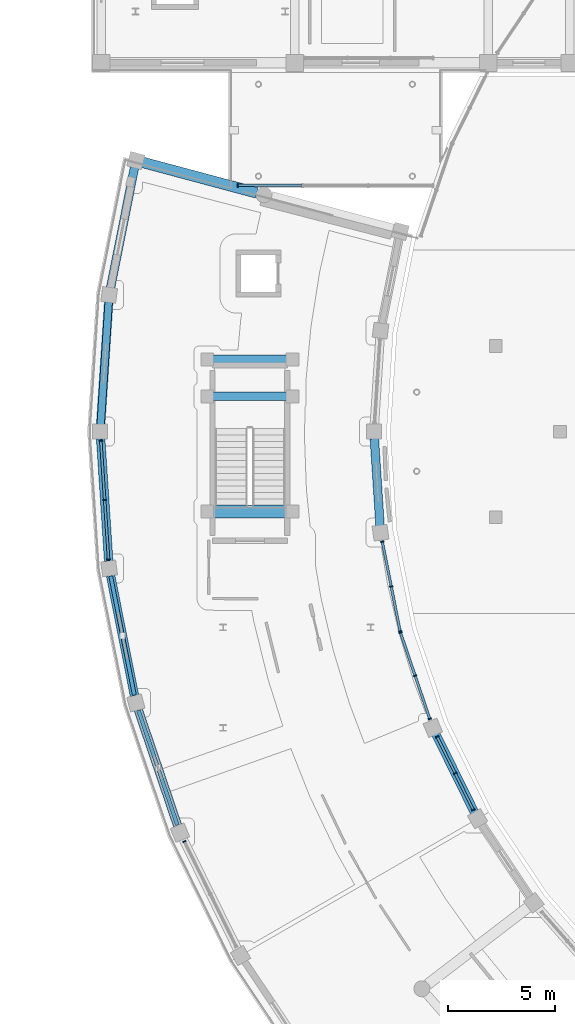
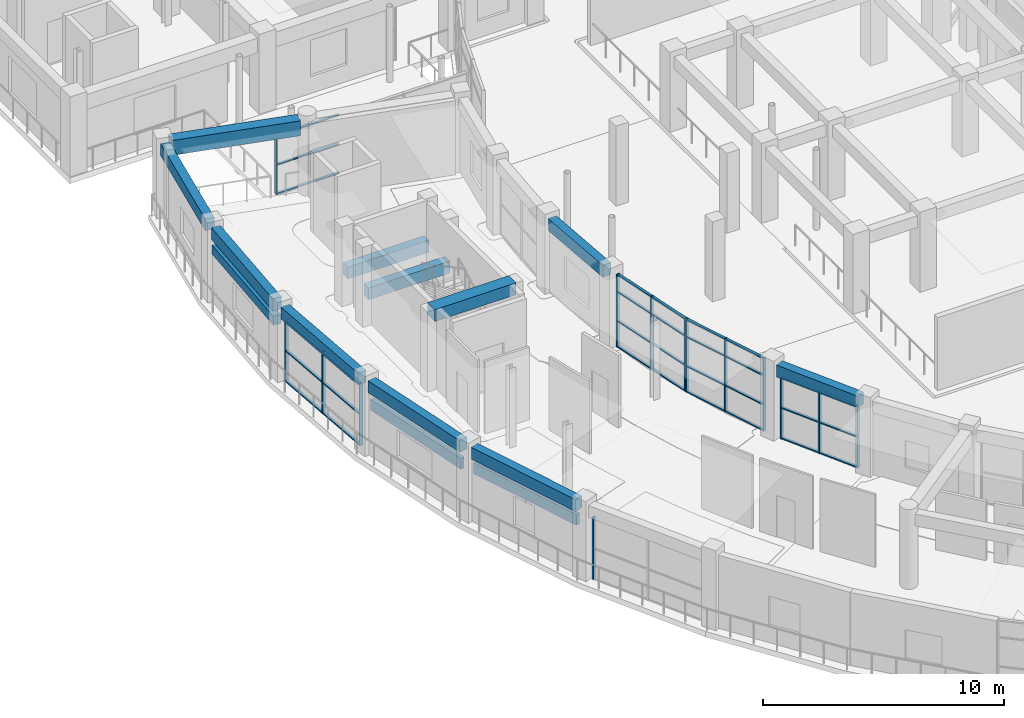
# One storey, part 25 of 87: 47 members, 12 beams, 6 elements without a shape of their own.
"""IFC4 building model written with IfcOpenShell, lengths in metres."""

from ifc_helpers import new_model, si_unit, direction, frame, origin, origin_2d, place, context, subcontext, project, spatial, rectangle, extrude, material, material_profile, profile_set, type_object, element, aggregate, save


model = new_model("IFC4")

# Units and contexts
model_context = context("Model", 3, precision=1e-05, world=origin(), true_north=direction((0.0, 1.0)))
body_context = subcontext(model_context, "Body", "Model", "MODEL_VIEW")
ifc_project = project(units=[si_unit("LENGTHUNIT", "METRE"), si_unit("AREAUNIT", "SQUARE_METRE"), si_unit("VOLUMEUNIT", "CUBIC_METRE"), si_unit("PLANEANGLEUNIT", "RADIAN"), si_unit("MASSUNIT", "GRAM", prefix="KILO")], contexts=[model_context])

# Site, building, storey
site_placement = place(None, origin())
site = spatial("IfcSite", under=ifc_project, at=site_placement, CompositionType="ELEMENT")
building_placement = place(site_placement, origin())
building = spatial("IfcBuilding", under=site, at=building_placement, Name="Saryqyr Civic Hall", CompositionType="ELEMENT")
storey_placement = place(building_placement, frame((0.0, 0.0, 5.10009765625)))
storey = spatial("IfcBuildingStorey", under=building, at=storey_placement, Name="L01", CompositionType="ELEMENT", Elevation=5.10009765625)

# Curtain wall, members
ifc_material_1 = material(Name="Anodised aluminium and triple low-E glass", Category="aluminium")
curtain_wall_type_1 = type_object("IfcCurtainWallType", Name="ENV-CW-STD-14", PredefinedType="NOTDEFINED", material=ifc_material_1)
curtain_wall_1_placement = place(storey_placement, origin())
curtain_wall_1 = element("IfcCurtainWall", 1, at=curtain_wall_1_placement, inside=storey, type_object=curtain_wall_type_1, Name="Curtain wall V4-CWO-L01-02", PredefinedType="NOTDEFINED")
ifc_material_2 = material(Name="Anodised aluminium", Category="aluminium")
ifc_material_profile_1 = material_profile(ifc_material_2, rectangle(XDim=0.06005859375, YDim=0.159912109375, at=origin_2d()), Name="ALU MULLION 60x160")
ifc_profile_set_1 = profile_set([ifc_material_profile_1], Name="Anodised aluminium")
member_type_1 = type_object("IfcMemberType", Name="ENV-CW-MUL-180", PredefinedType="MULLION", material=ifc_profile_set_1)
member_1_placement = place(storey_placement, frame((8.3916015625, 78.024169921875, 0.0), z_axis=(0.0, 0.0, 1.0), x_axis=(-0.065389155732, 0.997859839012, 0.0)))
member_1 = element("IfcMember", 2, at=member_1_placement, type_object=member_type_1, Name="CW-14 mullion 1", PredefinedType="MULLION", context=body_context, shape_type="SweptSolid", body=[
    extrude(rectangle(XDim=0.06005859375, YDim=0.159912109375, at=origin_2d()), origin(), (0.0, 0.0, 1.0), 3.14501953125),
])
member_2_placement = place(storey_placement, frame((8.209716796875, 80.802001953125, 0.0), z_axis=(0.0, 0.0, 1.0), x_axis=(-0.065389155732, 0.997859839012, 0.0)))
member_2 = element("IfcMember", 3, at=member_2_placement, type_object=member_type_1, Name="CW-14 mullion 2", PredefinedType="MULLION", context=body_context, shape_type="SweptSolid", body=[
    extrude(rectangle(XDim=0.06005859375, YDim=0.159912109375, at=origin_2d()), origin(), (0.0, 0.0, 1.0), 3.14501953125),
])
member_3_placement = place(storey_placement, frame((8.027587890625, 83.580078125, 0.0), z_axis=(0.0, 0.0, 1.0), x_axis=(-0.065389155732, 0.997859839012, 0.0)))
member_3 = element("IfcMember", 4, at=member_3_placement, type_object=member_type_1, Name="CW-14 mullion 3", PredefinedType="MULLION", context=body_context, shape_type="SweptSolid", body=[
    extrude(rectangle(XDim=0.06005859375, YDim=0.159912109375, at=origin_2d()), origin(), (0.0, 0.0, 1.0), 3.14501953125),
])

curtain_wall_type_2 = type_object("IfcCurtainWallType", Name="ENV-CW-STD-15", PredefinedType="NOTDEFINED", material=ifc_material_1)
curtain_wall_2_placement = place(storey_placement, origin())
curtain_wall_2 = element("IfcCurtainWall", 5, at=curtain_wall_2_placement, inside=storey, type_object=curtain_wall_type_2, Name="Curtain wall V4-CWI-L01-03", PredefinedType="NOTDEFINED")
member_4_placement = place(storey_placement, frame((21.193115234375, 78.85546875, 0.0), z_axis=(0.0, 0.0, 1.0), x_axis=(0.195087440485, -0.980785853571, 0.0)))
member_4 = element("IfcMember", 6, at=member_4_placement, type_object=member_type_1, Name="CW-15 mullion 1", PredefinedType="MULLION", context=body_context, shape_type="SweptSolid", body=[
    extrude(rectangle(XDim=0.06005859375, YDim=0.159912109375, at=origin_2d()), origin(), (0.0, 0.0, 1.0), 3.699951171875),
])
member_5_placement = place(storey_placement, frame((21.6103515625, 76.7578125, 0.0), z_axis=(0.0, 0.0, 1.0), x_axis=(0.195087440485, -0.980785853571, 0.0)))
member_5 = element("IfcMember", 7, at=member_5_placement, type_object=member_type_1, Name="CW-15 mullion 2", PredefinedType="MULLION", context=body_context, shape_type="SweptSolid", body=[
    extrude(rectangle(XDim=0.06005859375, YDim=0.159912109375, at=origin_2d()), origin(), (0.0, 0.0, 1.0), 3.699951171875),
])
member_6_placement = place(storey_placement, frame((22.027587890625, 74.66015625, 0.0), z_axis=(0.0, 0.0, 1.0), x_axis=(0.195087440485, -0.980785853571, 0.0)))
member_6 = element("IfcMember", 8, at=member_6_placement, type_object=member_type_1, Name="CW-15 mullion 3", PredefinedType="MULLION", context=body_context, shape_type="SweptSolid", body=[
    extrude(rectangle(XDim=0.06005859375, YDim=0.159912109375, at=origin_2d()), origin(), (0.0, 0.0, 1.0), 3.699951171875),
])

curtain_wall_3_placement = place(storey_placement, origin())
curtain_wall_3 = element("IfcCurtainWall", 9, at=curtain_wall_3_placement, inside=storey, type_object=curtain_wall_type_2, Name="Curtain wall V4-CWI-L01-04", PredefinedType="NOTDEFINED")
member_7_placement = place(storey_placement, frame((22.043212890625, 74.602294921875, 0.0), z_axis=(0.0, 0.0, 1.0), x_axis=(0.321441168018, -0.946929551499, 0.0)))
member_7 = element("IfcMember", 10, at=member_7_placement, type_object=member_type_1, Name="CW-15 mullion 1", PredefinedType="MULLION", context=body_context, shape_type="SweptSolid", body=[
    extrude(rectangle(XDim=0.06005859375, YDim=0.159912109375, at=origin_2d()), origin(), (0.0, 0.0, 1.0), 3.699951171875),
])
member_8_placement = place(storey_placement, frame((22.728271484375, 72.583740234375, 0.0), z_axis=(0.0, 0.0, 1.0), x_axis=(0.321441168018, -0.946929551499, 0.0)))
member_8 = element("IfcMember", 11, at=member_8_placement, type_object=member_type_1, Name="CW-15 mullion 2", PredefinedType="MULLION", context=body_context, shape_type="SweptSolid", body=[
    extrude(rectangle(XDim=0.06005859375, YDim=0.159912109375, at=origin_2d()), origin(), (0.0, 0.0, 1.0), 3.699951171875),
])
member_9_placement = place(storey_placement, frame((23.41357421875, 70.5654296875, 0.0), z_axis=(0.0, 0.0, 1.0), x_axis=(0.321441168018, -0.946929551499, 0.0)))
member_9 = element("IfcMember", 12, at=member_9_placement, type_object=member_type_1, Name="CW-15 mullion 3", PredefinedType="MULLION", context=body_context, shape_type="SweptSolid", body=[
    extrude(rectangle(XDim=0.06005859375, YDim=0.159912109375, at=origin_2d()), origin(), (0.0, 0.0, 1.0), 3.699951171875),
])

# Curtain wall, member
curtain_wall_type_3 = type_object("IfcCurtainWallType", Name="ENV-CW-STD-16", PredefinedType="NOTDEFINED", material=ifc_material_1)
curtain_wall_4_placement = place(storey_placement, origin())
curtain_wall_4 = element("IfcCurtainWall", 13, at=curtain_wall_4_placement, inside=storey, type_object=curtain_wall_type_3, Name="Curtain wall V4-CWO-L01-05", PredefinedType="NOTDEFINED")
member_10_placement = place(storey_placement, frame((11.935546875, 64.83154296875, 0.0), z_axis=(0.0, 0.0, 1.0), x_axis=(-0.442304219294, 0.896865083273, 0.0)))
member_10 = element("IfcMember", 14, at=member_10_placement, type_object=member_type_1, Name="CW-16 mullion 3", PredefinedType="MULLION", context=body_context, shape_type="SweptSolid", body=[
    extrude(rectangle(XDim=0.06005859375, YDim=0.159912109375, at=origin_2d()), origin(), (0.0, 0.0, 1.0), 3.14501953125),
])
aggregate(curtain_wall_4, [member_10])

# Curtain wall, members
curtain_wall_type_4 = type_object("IfcCurtainWallType", Name="ENV-CW-STD-17", PredefinedType="NOTDEFINED", material=ifc_material_1)
curtain_wall_5_placement = place(storey_placement, origin())
curtain_wall_5 = element("IfcCurtainWall", 15, at=curtain_wall_5_placement, inside=storey, type_object=curtain_wall_type_4, Name="Curtain wall V4-CWI-L01-05", PredefinedType="NOTDEFINED")
member_11_placement = place(storey_placement, frame((23.76123046875, 69.72998046875, 0.0), z_axis=(0.0, 0.0, 1.0), x_axis=(0.442291628967, -0.896871292297, 0.0)))
member_11 = element("IfcMember", 16, at=member_11_placement, type_object=member_type_1, Name="CW-17 mullion 1", PredefinedType="MULLION", context=body_context, shape_type="SweptSolid", body=[
    extrude(rectangle(XDim=0.06005859375, YDim=0.159912109375, at=origin_2d()), origin(), (0.0, 0.0, 1.0), 3.14501953125),
])
member_12_placement = place(storey_placement, frame((24.602783203125, 68.0234375, 0.0), z_axis=(0.0, 0.0, 1.0), x_axis=(0.442291628967, -0.896871292297, 0.0)))
member_12 = element("IfcMember", 17, at=member_12_placement, type_object=member_type_1, Name="CW-17 mullion 2", PredefinedType="MULLION", context=body_context, shape_type="SweptSolid", body=[
    extrude(rectangle(XDim=0.06005859375, YDim=0.159912109375, at=origin_2d()), origin(), (0.0, 0.0, 1.0), 3.14501953125),
])
member_13_placement = place(storey_placement, frame((25.4443359375, 66.31689453125, 0.0), z_axis=(0.0, 0.0, 1.0), x_axis=(0.442291628967, -0.896871292297, 0.0)))
member_13 = element("IfcMember", 18, at=member_13_placement, type_object=member_type_1, Name="CW-17 mullion 3", PredefinedType="MULLION", context=body_context, shape_type="SweptSolid", body=[
    extrude(rectangle(XDim=0.06005859375, YDim=0.159912109375, at=origin_2d()), origin(), (0.0, 0.0, 1.0), 3.14501953125),
])

# Curtain wall, member
curtain_wall_type_5 = type_object("IfcCurtainWallType", Name="ENV-CW-STD-84", PredefinedType="NOTDEFINED", material=ifc_material_1)
curtain_wall_6_placement = place(storey_placement, origin())
curtain_wall_6 = element("IfcCurtainWall", 19, at=curtain_wall_6_placement, inside=storey, type_object=curtain_wall_type_5, Name="Curtain wall BR-NW-CW1-L01", PredefinedType="NOTDEFINED")
member_14_placement = place(storey_placement, frame((14.429931640625, 95.52001953125, 0.0), z_axis=(0.0, 0.0, 1.0), x_axis=(-1.0, 0.0, 0.0)))
member_14 = element("IfcMember", 20, at=member_14_placement, type_object=member_type_1, Name="CW-84 mullion 4", PredefinedType="MULLION", context=body_context, shape_type="SweptSolid", body=[
    extrude(rectangle(XDim=0.06005859375, YDim=0.159912109375, at=origin_2d()), origin(), (0.0, 0.0, 1.0), 2.994873046875),
])

# Member
ifc_material_profile_2 = material_profile(ifc_material_2, rectangle(XDim=0.1201171875, YDim=0.06005859375, at=origin_2d()), Name="ALU TRANSOM 120x60")
ifc_profile_set_2 = profile_set([ifc_material_profile_2], Name="Anodised aluminium")
member_type_2 = type_object("IfcMemberType", Name="ENV-CW-TRN-150", PredefinedType="USERDEFINED", material=ifc_profile_set_2)
member_15_placement = place(storey_placement, frame((8.3896484375, 78.053955078125, 0.02978515625), z_axis=(-0.065335225245, 0.997863371581, 0.0), x_axis=(-0.997863371581, -0.065335225245, 0.0)))
member_15 = element("IfcMember", 21, at=member_15_placement, type_object=member_type_2, Name="CW-14 transom 1.1", ObjectType="TRANSOM", PredefinedType="USERDEFINED", context=body_context, shape_type="SweptSolid", body=[
    extrude(rectangle(XDim=0.1201171875, YDim=0.06005859375, at=origin_2d()), origin(), (0.0, 0.0, 1.0), 2.72412109375),
])

member_16_placement = place(storey_placement, frame((8.3896484375, 78.053955078125, 1.572021484375), z_axis=(-0.065335225245, 0.997863371581, 0.0), x_axis=(-0.997863371581, -0.065335225245, 0.0)))
member_16 = element("IfcMember", 22, at=member_16_placement, type_object=member_type_2, Name="CW-14 transom 1.2", ObjectType="TRANSOM", PredefinedType="USERDEFINED", context=body_context, shape_type="SweptSolid", body=[
    extrude(rectangle(XDim=0.1201171875, YDim=0.06005859375, at=origin_2d()), origin(), (0.0, 0.0, 1.0), 2.72412109375),
])

member_17_placement = place(storey_placement, frame((8.3896484375, 78.053955078125, 3.114990234375), z_axis=(-0.065335225245, 0.997863371581, 0.0), x_axis=(-0.997863371581, -0.065335225245, 0.0)))
member_17 = element("IfcMember", 23, at=member_17_placement, type_object=member_type_2, Name="CW-14 transom 1.3", ObjectType="TRANSOM", PredefinedType="USERDEFINED", context=body_context, shape_type="SweptSolid", body=[
    extrude(rectangle(XDim=0.1201171875, YDim=0.06005859375, at=origin_2d()), origin(), (0.0, 0.0, 1.0), 2.72412109375),
])

member_18_placement = place(storey_placement, frame((8.20751953125, 80.83203125, 0.02978515625), z_axis=(-0.0653410688, 0.997862988956, 0.0), x_axis=(-0.997862988956, -0.0653410688, 0.0)))
member_18 = element("IfcMember", 24, at=member_18_placement, type_object=member_type_2, Name="CW-14 transom 2.1", ObjectType="TRANSOM", PredefinedType="USERDEFINED", context=body_context, shape_type="SweptSolid", body=[
    extrude(rectangle(XDim=0.1201171875, YDim=0.06005859375, at=origin_2d()), origin(), (0.0, 0.0, 1.0), 2.723876953125),
])

member_19_placement = place(storey_placement, frame((8.20751953125, 80.83203125, 1.572021484375), z_axis=(-0.0653410688, 0.997862988956, 0.0), x_axis=(-0.997862988956, -0.0653410688, 0.0)))
member_19 = element("IfcMember", 25, at=member_19_placement, type_object=member_type_2, Name="CW-14 transom 2.2", ObjectType="TRANSOM", PredefinedType="USERDEFINED", context=body_context, shape_type="SweptSolid", body=[
    extrude(rectangle(XDim=0.1201171875, YDim=0.06005859375, at=origin_2d()), origin(), (0.0, 0.0, 1.0), 2.723876953125),
])

member_20_placement = place(storey_placement, frame((8.20751953125, 80.83203125, 3.114990234375), z_axis=(-0.0653410688, 0.997862988956, 0.0), x_axis=(-0.997862988956, -0.0653410688, 0.0)))
member_20 = element("IfcMember", 26, at=member_20_placement, type_object=member_type_2, Name="CW-14 transom 2.3", ObjectType="TRANSOM", PredefinedType="USERDEFINED", context=body_context, shape_type="SweptSolid", body=[
    extrude(rectangle(XDim=0.1201171875, YDim=0.06005859375, at=origin_2d()), origin(), (0.0, 0.0, 1.0), 2.723876953125),
])

aggregate(curtain_wall_1, [member_1, member_2, member_3, member_15, member_16, member_17, member_18, member_19, member_20])

member_21_placement = place(storey_placement, frame((21.198974609375, 78.826171875, 0.02978515625), z_axis=(0.195077083524, -0.98078791361, 0.0), x_axis=(0.98078791361, 0.195077083524, 0.0)))
member_21 = element("IfcMember", 27, at=member_21_placement, type_object=member_type_2, Name="CW-15 transom 1.1", ObjectType="TRANSOM", PredefinedType="USERDEFINED", context=body_context, shape_type="SweptSolid", body=[
    extrude(rectangle(XDim=0.1201171875, YDim=0.06005859375, at=origin_2d()), origin(), (0.0, 0.0, 1.0), 2.078857421875),
])

member_22_placement = place(storey_placement, frame((21.198974609375, 78.826171875, 1.331787109375), z_axis=(0.195077083524, -0.98078791361, 0.0), x_axis=(0.98078791361, 0.195077083524, 0.0)))
member_22 = element("IfcMember", 28, at=member_22_placement, type_object=member_type_2, Name="CW-15 transom 1.2", ObjectType="TRANSOM", PredefinedType="USERDEFINED", context=body_context, shape_type="SweptSolid", body=[
    extrude(rectangle(XDim=0.1201171875, YDim=0.06005859375, at=origin_2d()), origin(), (0.0, 0.0, 1.0), 2.078857421875),
])

member_23_placement = place(storey_placement, frame((21.198974609375, 78.826171875, 2.81201171875), z_axis=(0.195077083524, -0.98078791361, 0.0), x_axis=(0.98078791361, 0.195077083524, 0.0)))
member_23 = element("IfcMember", 29, at=member_23_placement, type_object=member_type_2, Name="CW-15 transom 1.3", ObjectType="TRANSOM", PredefinedType="USERDEFINED", context=body_context, shape_type="SweptSolid", body=[
    extrude(rectangle(XDim=0.1201171875, YDim=0.06005859375, at=origin_2d()), origin(), (0.0, 0.0, 1.0), 2.078857421875),
])

member_24_placement = place(storey_placement, frame((21.198974609375, 78.826171875, 3.669921875), z_axis=(0.195077083524, -0.98078791361, 0.0), x_axis=(0.98078791361, 0.195077083524, 0.0)))
member_24 = element("IfcMember", 30, at=member_24_placement, type_object=member_type_2, Name="CW-15 transom 1.4", ObjectType="TRANSOM", PredefinedType="USERDEFINED", context=body_context, shape_type="SweptSolid", body=[
    extrude(rectangle(XDim=0.1201171875, YDim=0.06005859375, at=origin_2d()), origin(), (0.0, 0.0, 1.0), 2.078857421875),
])

member_25_placement = place(storey_placement, frame((21.6162109375, 76.728515625, 0.02978515625), z_axis=(0.195077083524, -0.98078791361, 0.0), x_axis=(0.98078791361, 0.195077083524, 0.0)))
member_25 = element("IfcMember", 31, at=member_25_placement, type_object=member_type_2, Name="CW-15 transom 2.1", ObjectType="TRANSOM", PredefinedType="USERDEFINED", context=body_context, shape_type="SweptSolid", body=[
    extrude(rectangle(XDim=0.1201171875, YDim=0.06005859375, at=origin_2d()), origin(), (0.0, 0.0, 1.0), 2.078857421875),
])

member_26_placement = place(storey_placement, frame((21.6162109375, 76.728515625, 1.331787109375), z_axis=(0.195077083524, -0.98078791361, 0.0), x_axis=(0.98078791361, 0.195077083524, 0.0)))
member_26 = element("IfcMember", 32, at=member_26_placement, type_object=member_type_2, Name="CW-15 transom 2.2", ObjectType="TRANSOM", PredefinedType="USERDEFINED", context=body_context, shape_type="SweptSolid", body=[
    extrude(rectangle(XDim=0.1201171875, YDim=0.06005859375, at=origin_2d()), origin(), (0.0, 0.0, 1.0), 2.078857421875),
])

member_27_placement = place(storey_placement, frame((21.6162109375, 76.728515625, 2.81201171875), z_axis=(0.195077083524, -0.98078791361, 0.0), x_axis=(0.98078791361, 0.195077083524, 0.0)))
member_27 = element("IfcMember", 33, at=member_27_placement, type_object=member_type_2, Name="CW-15 transom 2.3", ObjectType="TRANSOM", PredefinedType="USERDEFINED", context=body_context, shape_type="SweptSolid", body=[
    extrude(rectangle(XDim=0.1201171875, YDim=0.06005859375, at=origin_2d()), origin(), (0.0, 0.0, 1.0), 2.078857421875),
])

member_28_placement = place(storey_placement, frame((21.6162109375, 76.728515625, 3.669921875), z_axis=(0.195077083524, -0.98078791361, 0.0), x_axis=(0.98078791361, 0.195077083524, 0.0)))
member_28 = element("IfcMember", 34, at=member_28_placement, type_object=member_type_2, Name="CW-15 transom 2.4", ObjectType="TRANSOM", PredefinedType="USERDEFINED", context=body_context, shape_type="SweptSolid", body=[
    extrude(rectangle(XDim=0.1201171875, YDim=0.06005859375, at=origin_2d()), origin(), (0.0, 0.0, 1.0), 2.078857421875),
])

aggregate(curtain_wall_2, [member_4, member_5, member_6, member_21, member_22, member_23, member_24, member_25, member_26, member_27, member_28])

member_29_placement = place(storey_placement, frame((22.052734375, 74.573974609375, 0.02978515625), z_axis=(0.321490718928, -0.946912729687, 0.0), x_axis=(0.946912729687, 0.321490718928, 0.0)))
member_29 = element("IfcMember", 35, at=member_29_placement, type_object=member_type_2, Name="CW-15 transom 1.1", ObjectType="TRANSOM", PredefinedType="USERDEFINED", context=body_context, shape_type="SweptSolid", body=[
    extrude(rectangle(XDim=0.1201171875, YDim=0.06005859375, at=origin_2d()), origin(), (0.0, 0.0, 1.0), 2.071533203125),
])

member_30_placement = place(storey_placement, frame((22.052734375, 74.573974609375, 1.331787109375), z_axis=(0.321490718928, -0.946912729687, 0.0), x_axis=(0.946912729687, 0.321490718928, 0.0)))
member_30 = element("IfcMember", 36, at=member_30_placement, type_object=member_type_2, Name="CW-15 transom 1.2", ObjectType="TRANSOM", PredefinedType="USERDEFINED", context=body_context, shape_type="SweptSolid", body=[
    extrude(rectangle(XDim=0.1201171875, YDim=0.06005859375, at=origin_2d()), origin(), (0.0, 0.0, 1.0), 2.071533203125),
])

member_31_placement = place(storey_placement, frame((22.052734375, 74.573974609375, 2.81201171875), z_axis=(0.321490718928, -0.946912729687, 0.0), x_axis=(0.946912729687, 0.321490718928, 0.0)))
member_31 = element("IfcMember", 37, at=member_31_placement, type_object=member_type_2, Name="CW-15 transom 1.3", ObjectType="TRANSOM", PredefinedType="USERDEFINED", context=body_context, shape_type="SweptSolid", body=[
    extrude(rectangle(XDim=0.1201171875, YDim=0.06005859375, at=origin_2d()), origin(), (0.0, 0.0, 1.0), 2.071533203125),
])

member_32_placement = place(storey_placement, frame((22.052734375, 74.573974609375, 3.669921875), z_axis=(0.321490718928, -0.946912729687, 0.0), x_axis=(0.946912729687, 0.321490718928, 0.0)))
member_32 = element("IfcMember", 38, at=member_32_placement, type_object=member_type_2, Name="CW-15 transom 1.4", ObjectType="TRANSOM", PredefinedType="USERDEFINED", context=body_context, shape_type="SweptSolid", body=[
    extrude(rectangle(XDim=0.1201171875, YDim=0.06005859375, at=origin_2d()), origin(), (0.0, 0.0, 1.0), 2.071533203125),
])

member_33_placement = place(storey_placement, frame((22.738037109375, 72.555419921875, 0.02978515625), z_axis=(0.321385044802, -0.946948601022, 0.0), x_axis=(0.946948601022, 0.321385044802, 0.0)))
member_33 = element("IfcMember", 39, at=member_33_placement, type_object=member_type_2, Name="CW-15 transom 2.1", ObjectType="TRANSOM", PredefinedType="USERDEFINED", context=body_context, shape_type="SweptSolid", body=[
    extrude(rectangle(XDim=0.1201171875, YDim=0.06005859375, at=origin_2d()), origin(), (0.0, 0.0, 1.0), 2.071533203125),
])

member_34_placement = place(storey_placement, frame((22.738037109375, 72.555419921875, 1.331787109375), z_axis=(0.321385044802, -0.946948601022, 0.0), x_axis=(0.946948601022, 0.321385044802, 0.0)))
member_34 = element("IfcMember", 40, at=member_34_placement, type_object=member_type_2, Name="CW-15 transom 2.2", ObjectType="TRANSOM", PredefinedType="USERDEFINED", context=body_context, shape_type="SweptSolid", body=[
    extrude(rectangle(XDim=0.1201171875, YDim=0.06005859375, at=origin_2d()), origin(), (0.0, 0.0, 1.0), 2.071533203125),
])

member_35_placement = place(storey_placement, frame((22.738037109375, 72.555419921875, 2.81201171875), z_axis=(0.321385044802, -0.946948601022, 0.0), x_axis=(0.946948601022, 0.321385044802, 0.0)))
member_35 = element("IfcMember", 41, at=member_35_placement, type_object=member_type_2, Name="CW-15 transom 2.3", ObjectType="TRANSOM", PredefinedType="USERDEFINED", context=body_context, shape_type="SweptSolid", body=[
    extrude(rectangle(XDim=0.1201171875, YDim=0.06005859375, at=origin_2d()), origin(), (0.0, 0.0, 1.0), 2.071533203125),
])

member_36_placement = place(storey_placement, frame((22.738037109375, 72.555419921875, 3.669921875), z_axis=(0.321385044802, -0.946948601022, 0.0), x_axis=(0.946948601022, 0.321385044802, 0.0)))
member_36 = element("IfcMember", 42, at=member_36_placement, type_object=member_type_2, Name="CW-15 transom 2.4", ObjectType="TRANSOM", PredefinedType="USERDEFINED", context=body_context, shape_type="SweptSolid", body=[
    extrude(rectangle(XDim=0.1201171875, YDim=0.06005859375, at=origin_2d()), origin(), (0.0, 0.0, 1.0), 2.071533203125),
])

aggregate(curtain_wall_3, [member_7, member_8, member_9, member_29, member_30, member_31, member_32, member_33, member_34, member_35, member_36])

member_37_placement = place(storey_placement, frame((23.7744140625, 69.703125, 0.02978515625), z_axis=(0.442331896066, -0.896851433473, 0.0), x_axis=(0.896851433473, 0.442331896066, 0.0)))
member_37 = element("IfcMember", 43, at=member_37_placement, type_object=member_type_2, Name="CW-17 transom 1.1", ObjectType="TRANSOM", PredefinedType="USERDEFINED", context=body_context, shape_type="SweptSolid", body=[
    extrude(rectangle(XDim=0.1201171875, YDim=0.06005859375, at=origin_2d()), origin(), (0.0, 0.0, 1.0), 1.843017578125),
])

member_38_placement = place(storey_placement, frame((23.7744140625, 69.703125, 1.572021484375), z_axis=(0.442331896066, -0.896851433473, 0.0), x_axis=(0.896851433473, 0.442331896066, 0.0)))
member_38 = element("IfcMember", 44, at=member_38_placement, type_object=member_type_2, Name="CW-17 transom 1.2", ObjectType="TRANSOM", PredefinedType="USERDEFINED", context=body_context, shape_type="SweptSolid", body=[
    extrude(rectangle(XDim=0.1201171875, YDim=0.06005859375, at=origin_2d()), origin(), (0.0, 0.0, 1.0), 1.843017578125),
])

member_39_placement = place(storey_placement, frame((23.7744140625, 69.703125, 3.114990234375), z_axis=(0.442331896066, -0.896851433473, 0.0), x_axis=(0.896851433473, 0.442331896066, 0.0)))
member_39 = element("IfcMember", 45, at=member_39_placement, type_object=member_type_2, Name="CW-17 transom 1.3", ObjectType="TRANSOM", PredefinedType="USERDEFINED", context=body_context, shape_type="SweptSolid", body=[
    extrude(rectangle(XDim=0.1201171875, YDim=0.06005859375, at=origin_2d()), origin(), (0.0, 0.0, 1.0), 1.843017578125),
])

member_40_placement = place(storey_placement, frame((24.615966796875, 67.99658203125, 0.02978515625), z_axis=(0.442331896066, -0.896851433473, 0.0), x_axis=(0.896851433473, 0.442331896066, 0.0)))
member_40 = element("IfcMember", 46, at=member_40_placement, type_object=member_type_2, Name="CW-17 transom 2.1", ObjectType="TRANSOM", PredefinedType="USERDEFINED", context=body_context, shape_type="SweptSolid", body=[
    extrude(rectangle(XDim=0.1201171875, YDim=0.06005859375, at=origin_2d()), origin(), (0.0, 0.0, 1.0), 1.843017578125),
])

member_41_placement = place(storey_placement, frame((24.615966796875, 67.99658203125, 1.572021484375), z_axis=(0.442331896066, -0.896851433473, 0.0), x_axis=(0.896851433473, 0.442331896066, 0.0)))
member_41 = element("IfcMember", 47, at=member_41_placement, type_object=member_type_2, Name="CW-17 transom 2.2", ObjectType="TRANSOM", PredefinedType="USERDEFINED", context=body_context, shape_type="SweptSolid", body=[
    extrude(rectangle(XDim=0.1201171875, YDim=0.06005859375, at=origin_2d()), origin(), (0.0, 0.0, 1.0), 1.843017578125),
])

member_42_placement = place(storey_placement, frame((24.615966796875, 67.99658203125, 3.114990234375), z_axis=(0.442331896066, -0.896851433473, 0.0), x_axis=(0.896851433473, 0.442331896066, 0.0)))
member_42 = element("IfcMember", 48, at=member_42_placement, type_object=member_type_2, Name="CW-17 transom 2.3", ObjectType="TRANSOM", PredefinedType="USERDEFINED", context=body_context, shape_type="SweptSolid", body=[
    extrude(rectangle(XDim=0.1201171875, YDim=0.06005859375, at=origin_2d()), origin(), (0.0, 0.0, 1.0), 1.843017578125),
])

aggregate(curtain_wall_5, [member_11, member_12, member_13, member_37, member_38, member_39, member_40, member_41, member_42])

member_43_placement = place(storey_placement, frame((17.436767578125, 95.52001953125, 0.02978515625), z_axis=(-1.0, 0.0, 0.0), x_axis=(0.0, -1.0, 0.0)))
member_43 = element("IfcMember", 49, at=member_43_placement, type_object=member_type_2, Name="CW-84 transom 3.1", ObjectType="TRANSOM", PredefinedType="USERDEFINED", context=body_context, shape_type="SweptSolid", body=[
    extrude(rectangle(XDim=0.1201171875, YDim=0.06005859375, at=origin_2d()), origin(), (0.0, 0.0, 1.0), 2.976806640625),
])

member_44_placement = place(storey_placement, frame((17.436767578125, 95.52001953125, 1.497802734375), z_axis=(-1.0, 0.0, 0.0), x_axis=(0.0, -1.0, 0.0)))
member_44 = element("IfcMember", 50, at=member_44_placement, type_object=member_type_2, Name="CW-84 transom 3.2", ObjectType="TRANSOM", PredefinedType="USERDEFINED", context=body_context, shape_type="SweptSolid", body=[
    extrude(rectangle(XDim=0.1201171875, YDim=0.06005859375, at=origin_2d()), origin(), (0.0, 0.0, 1.0), 2.976806640625),
])

member_45_placement = place(storey_placement, frame((17.436767578125, 95.52001953125, 2.96484375), z_axis=(-1.0, 0.0, 0.0), x_axis=(0.0, -1.0, 0.0)))
member_45 = element("IfcMember", 51, at=member_45_placement, type_object=member_type_2, Name="CW-84 transom 3.3", ObjectType="TRANSOM", PredefinedType="USERDEFINED", context=body_context, shape_type="SweptSolid", body=[
    extrude(rectangle(XDim=0.1201171875, YDim=0.06005859375, at=origin_2d()), origin(), (0.0, 0.0, 1.0), 2.976806640625),
])

aggregate(curtain_wall_6, [member_14, member_43, member_44, member_45])

# Members
ifc_material_3 = material(Name="Precast concrete C40/50", Category="concrete")
ifc_material_profile_3 = material_profile(ifc_material_3, rectangle(XDim=0.179931640625, YDim=0.550048828125, at=origin_2d()), Name="PC FIN 180x550")
ifc_profile_set_3 = profile_set([ifc_material_profile_3], Name="Precast concrete C40/50")
member_type_3 = type_object("IfcMemberType", Name="ENV-FIN-PC550", PredefinedType="USERDEFINED", material=ifc_profile_set_3)
member_46_placement = place(storey_placement, frame((8.490966796875, 77.243408203125, 2.52001953125), z_axis=(0.195098203532, -0.980783712639, 0.0), x_axis=(0.980783712639, 0.195098203532, 0.0)))
element("IfcMember", 52, at=member_46_placement, inside=storey, type_object=member_type_3, Name="Precast horizontal solar brise-soleil fin V4-L01-03", ObjectType="SOLAR_FIN", PredefinedType="USERDEFINED", context=body_context, shape_type="SweptSolid", body=[
    extrude(rectangle(XDim=0.179931640625, YDim=0.550048828125, at=origin_2d()), origin(), (0.0, 0.0, 1.0), 5.673828125),
])
member_47_placement = place(storey_placement, frame((9.787841796875, 70.969482421875, 2.669921875), z_axis=(0.321438291541, -0.946930527933, 0.0), x_axis=(0.946930527933, 0.321438291541, 0.0)))
element("IfcMember", 53, at=member_47_placement, inside=storey, type_object=member_type_3, Name="Precast horizontal solar brise-soleil fin V4-L01-04", ObjectType="SOLAR_FIN", PredefinedType="USERDEFINED", context=body_context, shape_type="SweptSolid", body=[
    extrude(rectangle(XDim=0.179931640625, YDim=0.550048828125, at=origin_2d()), origin(), (0.0, 0.0, 1.0), 5.673583984375),
])

# Beams
ifc_material_4 = material(Name="Concrete C35/45", Category="concrete")
ifc_material_profile_4 = material_profile(ifc_material_4, rectangle(XDim=0.39990234375, YDim=0.60009765625, at=origin_2d()), Name="RC 400x600")
ifc_profile_set_4 = profile_set([ifc_material_profile_4], Name="Concrete C35/45")
beam_type_1 = type_object("IfcBeamType", Name="STR-BM-RC400x600", PredefinedType="BEAM", material=ifc_profile_set_4)
for number, where, z_axis, x_axis, name in (
    (54, (16.949951171875, 85.64990234375, 1.52490234375), (-1.0, 0.0, 0.0), (0.0, -1.0, 0.0), "Stair half-landing support beam ST-4-LND1-L01"),
    (55, (16.949951171875, 87.3798828125, 1.52490234375), (-1.0, 0.0, 0.0), (0.0, -1.0, 0.0), "Stair half-landing support beam ST-4-LND2-L01"),
):
    element("IfcBeam", number, at=place(storey_placement, frame(where, z_axis=z_axis, x_axis=x_axis)), inside=storey, type_object=beam_type_1, Name=name, PredefinedType="BEAM", context=body_context, shape_type="SweptSolid", body=[
        extrude(rectangle(XDim=0.39990234375, YDim=0.60009765625, at=origin_2d()), origin(), (0.0, 0.0, 1.0), 3.89990234375),
    ])
ifc_material_profile_5 = material_profile(ifc_material_4, rectangle(XDim=0.39990234375, YDim=0.60009765625, at=origin_2d()), Name="RC 400x600")
ifc_profile_set_5 = profile_set([ifc_material_profile_5], Name="Concrete C35/45")
beam_type_2 = type_object("IfcBeamType", Name="STR-BM-RC400x600-EXT", PredefinedType="BEAM", material=ifc_profile_set_5)
beam_1_placement = place(storey_placement, frame((9.606201171875, 96.36328125, 3.469970703125), z_axis=(-0.195080721297, -0.980787190056, 0.0), x_axis=(0.980787190056, -0.195080721297, 0.0)))
element("IfcBeam", 56, at=beam_1_placement, inside=storey, type_object=beam_type_2, Name="Beam V4-CBM-OUT00-L01", PredefinedType="BEAM", context=body_context, shape_type="SweptSolid", body=[
    extrude(rectangle(XDim=0.39990234375, YDim=0.60009765625, at=origin_2d()), origin(), (0.0, 0.0, 1.0), 5.75927734375),
])
beam_2_placement = place(storey_placement, frame((8.39794921875, 90.071533203125, 3.469970703125), z_axis=(-0.065404874138, -0.99785880887, 0.0), x_axis=(0.99785880887, -0.065404874138, 0.0)))
element("IfcBeam", 57, at=beam_2_placement, inside=storey, type_object=beam_type_2, Name="Beam V4-CBM-OUT01-L01", PredefinedType="BEAM", context=body_context, shape_type="SweptSolid", body=[
    extrude(rectangle(XDim=0.39990234375, YDim=0.60009765625, at=origin_2d()), origin(), (0.0, 0.0, 1.0), 5.759765625),
])
beam_3_placement = place(storey_placement, frame((20.8212890625, 83.67578125, 3.469970703125), z_axis=(0.065380564159, -0.997860401975, 0.0), x_axis=(0.997860401975, 0.065380564159, 0.0)))
element("IfcBeam", 58, at=beam_3_placement, inside=storey, type_object=beam_type_2, Name="Beam V4-CBM-IN02-L01", PredefinedType="BEAM", context=body_context, shape_type="SweptSolid", body=[
    extrude(rectangle(XDim=0.39990234375, YDim=0.60009765625, at=origin_2d()), origin(), (0.0, 0.0, 1.0), 4.085205078125),
])
beam_4_placement = place(storey_placement, frame((8.021240234375, 83.67578125, 3.469970703125), z_axis=(0.065404874138, -0.99785880887, 0.0), x_axis=(0.99785880887, 0.065404874138, 0.0)))
element("IfcBeam", 59, at=beam_4_placement, inside=storey, type_object=beam_type_2, Name="Beam V4-CBM-OUT02-L01", PredefinedType="BEAM", context=body_context, shape_type="SweptSolid", body=[
    extrude(rectangle(XDim=0.39990234375, YDim=0.60009765625, at=origin_2d()), origin(), (0.0, 0.0, 1.0), 5.759765625),
])
for number, where, z_axis, x_axis, name in (
    (60, (8.482666015625, 77.285400390625, 3.469970703125), (0.195080721297, -0.980787190056, 0.0), (0.980787190056, 0.195080721297, 0.0), "Beam V4-CBM-OUT03-L01"),
    (61, (9.774169921875, 71.010009765625, 3.469970703125), (0.321449757319, -0.946926635764, 0.0), (0.946926635764, 0.321449757319, 0.0), "Beam V4-CBM-OUT04-L01"),
):
    element("IfcBeam", number, at=place(storey_placement, frame(where, z_axis=z_axis, x_axis=x_axis)), inside=storey, type_object=beam_type_2, Name=name, PredefinedType="BEAM", context=body_context, shape_type="SweptSolid", body=[
        extrude(rectangle(XDim=0.39990234375, YDim=0.60009765625, at=origin_2d()), origin(), (0.0, 0.0, 1.0), 5.75927734375),
    ])
beam_5_placement = place(storey_placement, frame((23.69921875, 69.85546875, 3.469970703125), z_axis=(0.442282606806, -0.896875741514, 0.0), x_axis=(0.896875741514, 0.442282606806, 0.0)))
element("IfcBeam", 62, at=beam_5_placement, inside=storey, type_object=beam_type_2, Name="Beam V4-CBM-IN05-L01", PredefinedType="BEAM", context=body_context, shape_type="SweptSolid", body=[
    extrude(rectangle(XDim=0.39990234375, YDim=0.60009765625, at=origin_2d()), origin(), (0.0, 0.0, 1.0), 4.08544921875),
])
ifc_material_5 = material(Name="Concrete C40/50", Category="concrete")
ifc_material_profile_6 = material_profile(ifc_material_5, rectangle(XDim=0.5, YDim=0.75, at=origin_2d()), Name="RC 500x750")
ifc_profile_set_6 = profile_set([ifc_material_profile_6], Name="Concrete C40/50")
beam_type_3 = type_object("IfcBeamType", Name="STR-BM-RC500x750", PredefinedType="BEAM", material=ifc_profile_set_6)
beam_6_placement = place(storey_placement, frame((15.3203125, 95.168212890625, 3.39501953125), z_axis=(-0.965940951674, 0.258762589799, 0.0), x_axis=(-0.258762589799, -0.965940951674, 0.0)))
element("IfcBeam", 63, at=beam_6_placement, inside=storey, type_object=beam_type_3, Name="Beam V4-RBM-B00-L01", PredefinedType="BEAM", context=body_context, shape_type="SweptSolid", body=[
    extrude(rectangle(XDim=0.5, YDim=0.75, at=origin_2d()), origin(), (0.0, 0.0, 1.0), 5.525146484375),
])
ifc_material_profile_7 = material_profile(ifc_material_5, rectangle(XDim=0.60009765625, YDim=0.60009765625, at=origin_2d()), Name="RC 600x600")
ifc_profile_set_7 = profile_set([ifc_material_profile_7], Name="Concrete C40/50")
beam_type_4 = type_object("IfcBeamType", Name="STR-BM-RC600x600", PredefinedType="BEAM", material=ifc_profile_set_7)
beam_7_placement = place(storey_placement, frame((16.949951171875, 80.264892578125, 3.75), z_axis=(-1.0, 0.0, 0.0), x_axis=(0.0, -1.0, 0.0)))
element("IfcBeam", 64, at=beam_7_placement, inside=storey, type_object=beam_type_4, Name="Stair well trimmer beam ST-4-L02", PredefinedType="BEAM", context=body_context, shape_type="SweptSolid", body=[
    extrude(rectangle(XDim=0.60009765625, YDim=0.60009765625, at=origin_2d()), origin(), (0.0, 0.0, 1.0), 3.89990234375),
])
ifc_material_profile_8 = material_profile(ifc_material_3, rectangle(XDim=0.35009765625, YDim=0.449951171875, at=origin_2d()), Name="RC 350x450")
ifc_profile_set_8 = profile_set([ifc_material_profile_8], Name="Precast concrete C40/50")
beam_type_5 = type_object("IfcBeamType", Name="STR-LIN-RC350x450", PredefinedType="LINTEL", material=ifc_profile_set_8)
beam_8_placement = place(storey_placement, frame((8.39794921875, 90.071533203125, 2.65478515625), z_axis=(-0.065404874138, -0.99785880887, 0.0), x_axis=(0.99785880887, -0.065404874138, 0.0)))
element("IfcBeam", 65, at=beam_8_placement, inside=storey, type_object=beam_type_5, Name="Beam V4-LIN-01-L01", PredefinedType="LINTEL", context=body_context, shape_type="SweptSolid", body=[
    extrude(rectangle(XDim=0.35009765625, YDim=0.449951171875, at=origin_2d()), origin(), (0.0, 0.0, 1.0), 5.759765625),
])

save(model, "model.ifc")
